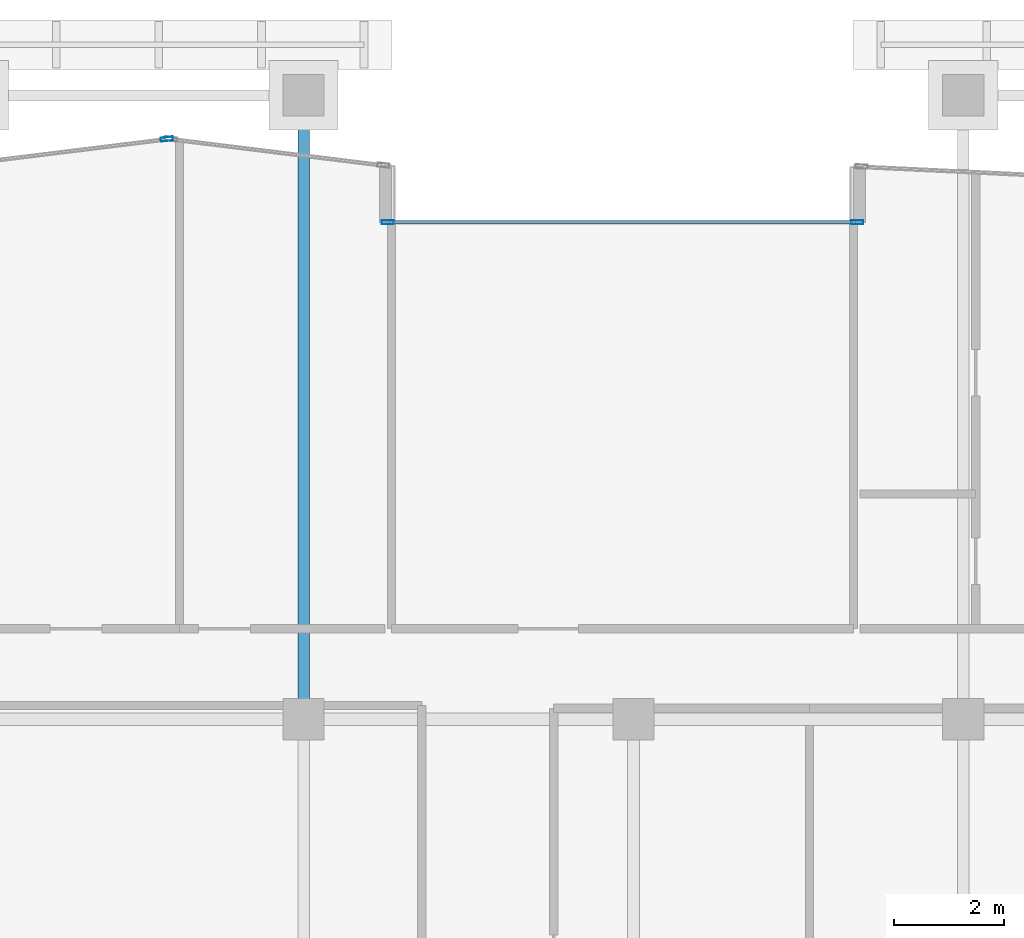
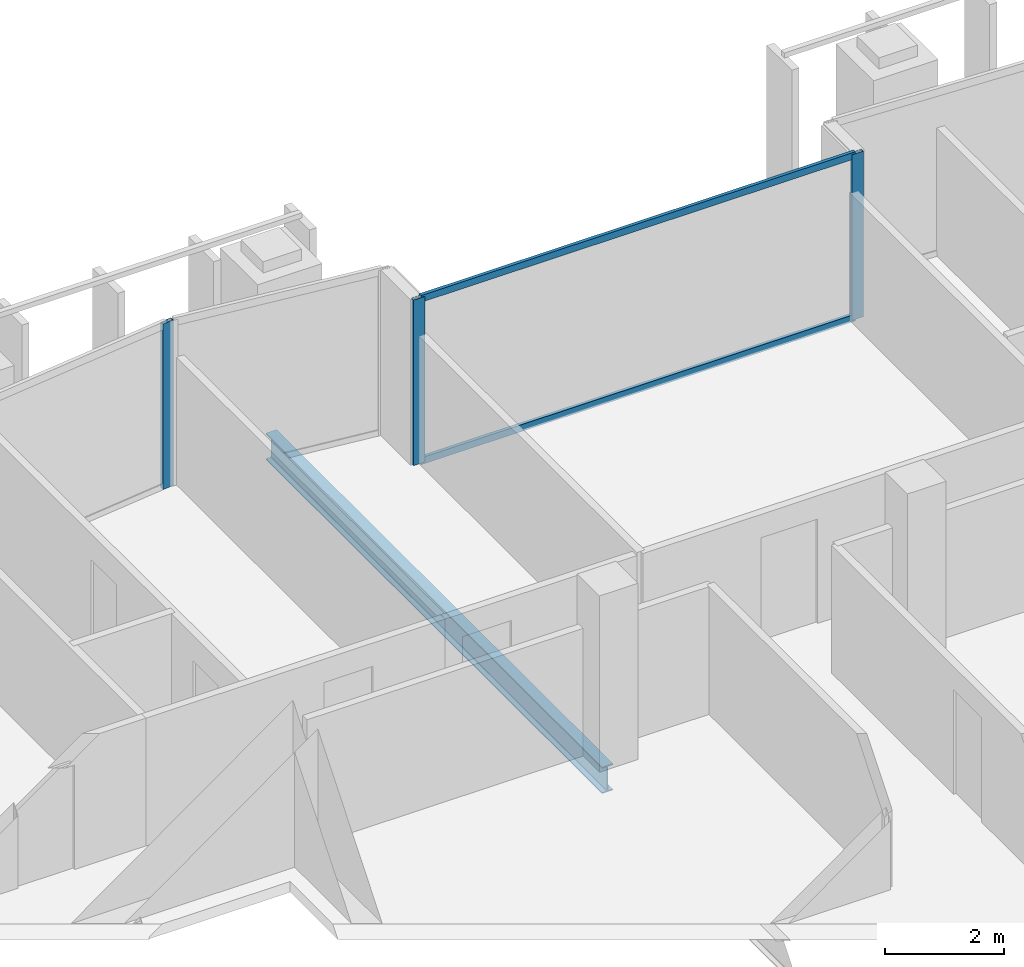
# One storey, part 12 of 32: 5 members, 1 beam, 2 elements without a shape of their own.
"""IFC4 building model written with IfcOpenShell, lengths in metres."""

from ifc_helpers import new_model, si_unit, direction, frame, origin, origin_2d, place, context, subcontext, project, spatial, hollow_rectangle, i_section, extrude, material, layer, layer_set, material_profile, profile_set, type_object, element, aggregate, save


model = new_model("IFC4")

# Units and contexts
model_context = context("Model", 3, precision=1e-05, world=origin(), true_north=direction((0.0, 1.0)))
body_context = subcontext(model_context, "Body", "Model", "MODEL_VIEW")
ifc_project = project(units=[si_unit("LENGTHUNIT", "METRE"), si_unit("AREAUNIT", "SQUARE_METRE"), si_unit("VOLUMEUNIT", "CUBIC_METRE"), si_unit("PLANEANGLEUNIT", "RADIAN"), si_unit("MASSUNIT", "GRAM", prefix="KILO")], contexts=[model_context])

# Site, building, storey
site_placement = place(None, origin())
site = spatial("IfcSite", under=ifc_project, at=site_placement, CompositionType="ELEMENT")
building_placement = place(site_placement, origin())
building = spatial("IfcBuilding", under=site, at=building_placement, Name="Tanjung Sevakor Pilgrim Tower", CompositionType="ELEMENT")
storey_placement = place(building_placement, frame((0.0, 0.0, 211.860107421875)))
storey = spatial("IfcBuildingStorey", under=building, at=storey_placement, Name="L59", CompositionType="ELEMENT", Elevation=211.860107421875)

# Beam
ifc_material_1 = material(Name="Steel S355J2", Category="steel")
ifc_material_profile_1 = material_profile(ifc_material_1, i_section(OverallWidth=0.2119140625, OverallDepth=0.54443359375, WebThickness=0.0126953125, FlangeThickness=0.021240234375, FilletRadius=0.0126953125, at=origin_2d()))
ifc_profile_set_1 = profile_set([ifc_material_profile_1], Name="Steel S355J2")
beam_type = type_object("IfcBeamType", Name="BM-B-G5-UB_533x210x122", PredefinedType="BEAM", material=ifc_profile_set_1)
beam_placement = place(storey_placement, frame((42.0, 42.60009765625, -0.492431640625), z_axis=(0.0, 1.0, 0.0), x_axis=(-1.0, 0.0, 0.0)))
element("IfcBeam", 1, at=beam_placement, inside=storey, type_object=beam_type, Name="L59 MAIN Girder 007", PredefinedType="BEAM", context=body_context, shape_type="SweptSolid", body=[
    extrude(i_section(OverallWidth=0.2119140625, OverallDepth=0.54443359375, WebThickness=0.0126953125, FlangeThickness=0.021240234375, FilletRadius=0.0126953125, at=origin_2d()), origin(), (0.0, 0.0, 1.0), 11.349853515625),
])

# Curtain wall, members
ifc_material_2 = material(Name="Aluminium 6063-T6 and Low-E Glass", Category="aluminium")
ifc_layer_1 = layer(ifc_material_2, 0.179931640625)
ifc_layer_set_1 = layer_set([ifc_layer_1], Name="CW-SYS-CLEFT")
curtain_wall_type_1 = type_object("IfcCurtainWallType", Name="CW-SYS-CLEFT", PredefinedType="NOTDEFINED", material=ifc_layer_set_1)
curtain_wall_1_placement = place(storey_placement, origin())
curtain_wall_1 = element("IfcCurtainWall", 2, at=curtain_wall_1_placement, inside=storey, type_object=curtain_wall_type_1, Name="L59 Curtain Wall CW-CLF-L59-25", PredefinedType="NOTDEFINED")
ifc_material_3 = material(Name="Aluminium 6063-T6", Category="aluminium")
ifc_material_profile_2 = material_profile(ifc_material_3, hollow_rectangle(XDim=0.074951171875, YDim=0.219970703125, WallThickness=0.0048828125, at=origin_2d()))
ifc_profile_set_2 = profile_set([ifc_material_profile_2], Name="Aluminium 6063-T6")
member_type_1 = type_object("IfcMemberType", Name="TYPE-CWM-2", PredefinedType="MULLION", material=ifc_profile_set_2)
member_1_placement = place(storey_placement, frame((52.072509765625, 51.639892578125, 0.0), z_axis=(0.0, 0.0, 1.0), x_axis=(0.0, -1.0, 0.0)))
member_1 = element("IfcMember", 3, at=member_1_placement, type_object=member_type_1, Name="CW-CLF mullion 1", PredefinedType="MULLION", context=body_context, shape_type="SweptSolid", body=[
    extrude(hollow_rectangle(XDim=0.074951171875, YDim=0.219970703125, WallThickness=0.0048828125, at=origin_2d()), origin(), (0.0, 0.0, 1.0), 3.409912109375),
])
member_2_placement = place(storey_placement, frame((43.527587890625, 51.639892578125, 0.0), z_axis=(0.0, 0.0, 1.0), x_axis=(0.0, -1.0, 0.0)))
member_2 = element("IfcMember", 4, at=member_2_placement, type_object=member_type_1, Name="CW-CLF mullion 2", PredefinedType="MULLION", context=body_context, shape_type="SweptSolid", body=[
    extrude(hollow_rectangle(XDim=0.074951171875, YDim=0.219970703125, WallThickness=0.0048828125, at=origin_2d()), origin(), (0.0, 0.0, 1.0), 3.409912109375),
])

# Curtain wall, member
ifc_material_4 = material(Name="Aluminium 6063-T6 and Low-E Glass", Category="aluminium")
ifc_layer_2 = layer(ifc_material_4, 0.199951171875)
ifc_layer_set_2 = layer_set([ifc_layer_2], Name="CW-SYS-PRAY")
curtain_wall_type_2 = type_object("IfcCurtainWallType", Name="CW-SYS-PRAY", PredefinedType="NOTDEFINED", material=ifc_layer_set_2)
curtain_wall_2_placement = place(storey_placement, origin())
curtain_wall_2 = element("IfcCurtainWall", 5, at=curtain_wall_2_placement, inside=storey, type_object=curtain_wall_type_2, Name="L59 Curtain Wall CW-PRY-L59-28", PredefinedType="NOTDEFINED")
member_3_placement = place(storey_placement, frame((39.5126953125, 53.154541015625, 0.0), z_axis=(0.0, 0.0, 1.0), x_axis=(0.122542717395, -0.99246323983, 0.0)))
member_3 = element("IfcMember", 6, at=member_3_placement, type_object=member_type_1, Name="CW-PRY mullion 1", PredefinedType="MULLION", context=body_context, shape_type="SweptSolid", body=[
    extrude(hollow_rectangle(XDim=0.074951171875, YDim=0.219970703125, WallThickness=0.0048828125, at=origin_2d()), origin(), (0.0, 0.0, 1.0), 3.409912109375),
])
aggregate(curtain_wall_2, [member_3])

# Member
ifc_material_5 = material(Name="Aluminium 6063-T6", Category="aluminium")
ifc_material_profile_3 = material_profile(ifc_material_5, hollow_rectangle(XDim=0.06494140625, YDim=0.139892578125, WallThickness=0.00390625, at=origin_2d()))
ifc_profile_set_3 = profile_set([ifc_material_profile_3], Name="Aluminium 6063-T6")
member_type_2 = type_object("IfcMemberType", Name="TYPE-CWT-1", PredefinedType="USERDEFINED", material=ifc_profile_set_3)
member_4_placement = place(storey_placement, frame((52.034912109375, 51.639892578125, 0.032470703125), z_axis=(-1.0, 0.0, 0.0), x_axis=(0.0, -1.0, 0.0)))
member_4 = element("IfcMember", 7, at=member_4_placement, type_object=member_type_2, Name="CW-CLF transom 1.1", ObjectType="TRANSOM", PredefinedType="USERDEFINED", context=body_context, shape_type="SweptSolid", body=[
    extrude(hollow_rectangle(XDim=0.06494140625, YDim=0.139892578125, WallThickness=0.00390625, at=origin_2d()), origin(), (0.0, 0.0, 1.0), 8.469970703125),
])

member_5_placement = place(storey_placement, frame((52.034912109375, 51.639892578125, 3.37744140625), z_axis=(-1.0, 0.0, 0.0), x_axis=(0.0, -1.0, 0.0)))
member_5 = element("IfcMember", 8, at=member_5_placement, type_object=member_type_2, Name="CW-CLF transom 1.2", ObjectType="TRANSOM", PredefinedType="USERDEFINED", context=body_context, shape_type="SweptSolid", body=[
    extrude(hollow_rectangle(XDim=0.06494140625, YDim=0.139892578125, WallThickness=0.00390625, at=origin_2d()), origin(), (0.0, 0.0, 1.0), 8.469970703125),
])

aggregate(curtain_wall_1, [member_1, member_2, member_4, member_5])

save(model, "model.ifc")
